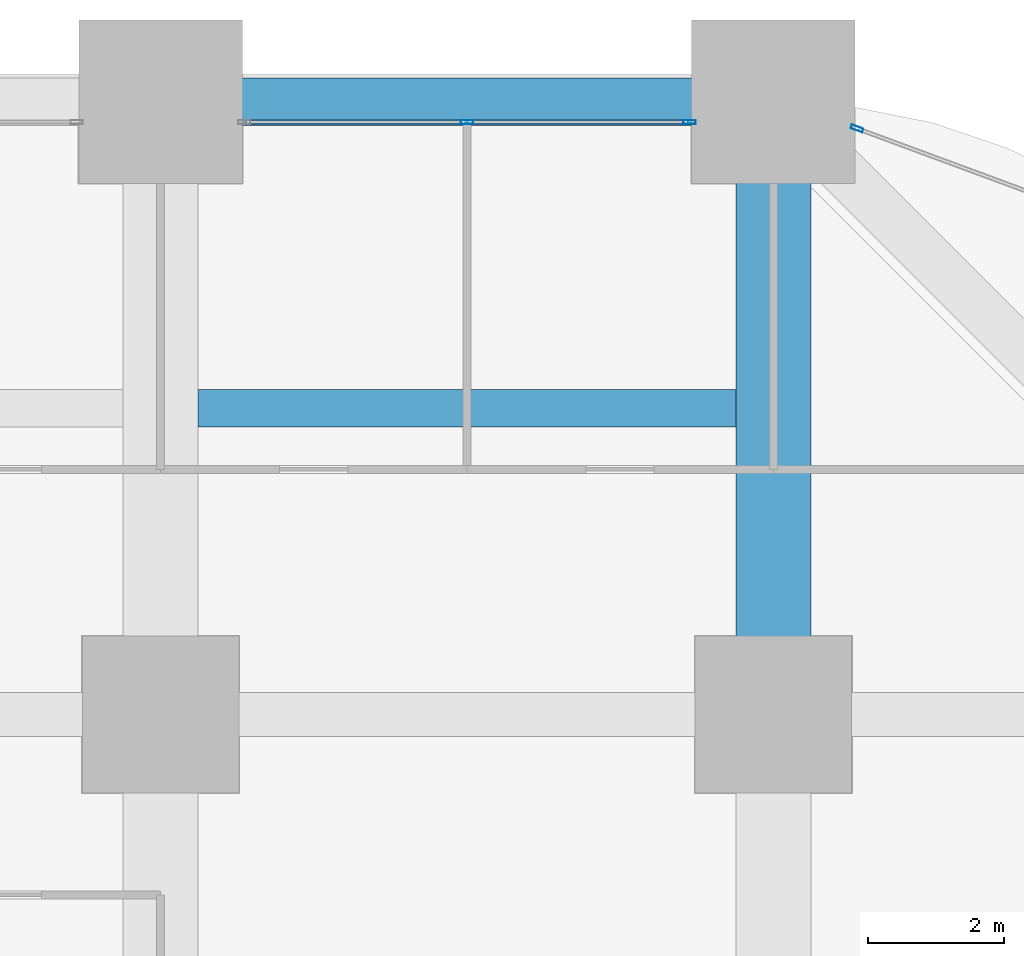
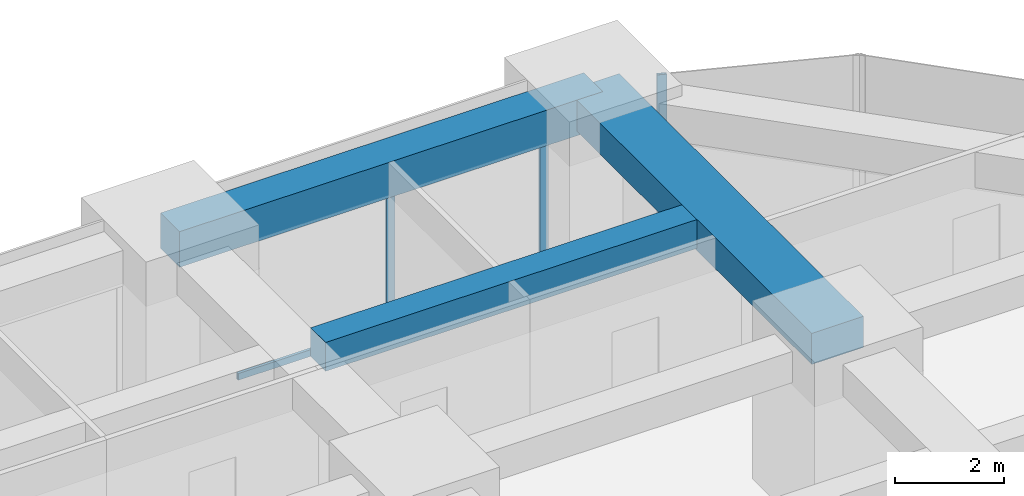
# One storey, part 36 of 45: 4 members, 3 beams, 2 elements without a shape of their own.
"""IFC4 building model written with IfcOpenShell, lengths in metres."""

from ifc_helpers import new_model, si_unit, direction, frame, origin, origin_2d, place, context, subcontext, project, spatial, rectangle, hollow_rectangle, extrude, material, material_profile, profile_set, type_object, element, aggregate, save


model = new_model("IFC4")

# Units and contexts
model_context = context("Model", 3, precision=1e-05, world=origin(), true_north=direction((0.0, 1.0)))
body_context = subcontext(model_context, "Body", "Model", "MODEL_VIEW")
ifc_project = project(units=[si_unit("LENGTHUNIT", "METRE"), si_unit("AREAUNIT", "SQUARE_METRE"), si_unit("VOLUMEUNIT", "CUBIC_METRE"), si_unit("PLANEANGLEUNIT", "RADIAN"), si_unit("MASSUNIT", "GRAM", prefix="KILO")], contexts=[model_context])

# Site, building, storey
site_placement = place(None, origin())
site = spatial("IfcSite", under=ifc_project, at=site_placement, CompositionType="ELEMENT")
building_placement = place(site_placement, origin())
building = spatial("IfcBuilding", under=site, at=building_placement, Name="Zorevar Civic Tower", CompositionType="ELEMENT")
storey_placement = place(building_placement, frame((0.0, 0.0, 47.800048828125)))
storey = spatial("IfcBuildingStorey", under=building, at=storey_placement, Name="L11", CompositionType="ELEMENT", Elevation=47.800048828125)

# Beams
ifc_material_1 = material(Name="Concrete C50/60", Category="concrete")
ifc_material_profile_1 = material_profile(ifc_material_1, rectangle(XDim=1.10009765625, YDim=0.699951171875, at=origin_2d()), Name="RC 1100x700")
ifc_profile_set_1 = profile_set([ifc_material_profile_1], Name="Concrete C50/60")
beam_type_1 = type_object("IfcBeamType", Name="Beam RC 1100x700", PredefinedType="BEAM", material=ifc_profile_set_1)
beam_1_placement = place(storey_placement, frame((54.0, 45.0, 3.39990234375), z_axis=(0.0, 1.0, 0.0), x_axis=(-1.0, 0.0, 0.0)))
element("IfcBeam", 1, at=beam_1_placement, inside=storey, type_object=beam_type_1, Name="Girder L12", PredefinedType="BEAM", context=body_context, shape_type="SweptSolid", body=[
    extrude(rectangle(XDim=1.10009765625, YDim=0.699951171875, at=origin_2d()), origin(), (0.0, 0.0, 1.0), 9.0),
])
ifc_material_2 = material(Name="Concrete C50/60", Category="concrete")
ifc_material_profile_2 = material_profile(ifc_material_2, rectangle(XDim=0.550048828125, YDim=0.64990234375, at=origin_2d()), Name="RC 550x650")
ifc_profile_set_2 = profile_set([ifc_material_profile_2], Name="Concrete C50/60")
beam_type_2 = type_object("IfcBeamType", Name="Beam RC 550x650", PredefinedType="BEAM", material=ifc_profile_set_2)
beam_2_placement = place(storey_placement, frame((45.550048828125, 49.5, 3.425048828125), z_axis=(1.0, 0.0, 0.0), x_axis=(0.0, 1.0, 0.0)))
element("IfcBeam", 2, at=beam_2_placement, inside=storey, type_object=beam_type_2, Name="Secondary beam L12", PredefinedType="BEAM", context=body_context, shape_type="SweptSolid", body=[
    extrude(rectangle(XDim=0.550048828125, YDim=0.64990234375, at=origin_2d()), origin(), (0.0, 0.0, 1.0), 7.89990234375),
])

# Curtain wall, members
ifc_material_3 = material(Name="Dark grey solar-control glass in black aluminium frame", Category="aluminium")
curtain_wall_type = type_object("IfcCurtainWallType", Name="Curtain wall CW2 low zone", PredefinedType="NOTDEFINED", material=ifc_material_3)
curtain_wall_1_placement = place(storey_placement, origin())
curtain_wall_1 = element("IfcCurtainWall", 3, at=curtain_wall_1_placement, inside=storey, type_object=curtain_wall_type, Name="CW2 L11", PredefinedType="NOTDEFINED")
ifc_material_4 = material(Name="Aluminium, black anodised", Category="aluminium")
ifc_material_profile_3 = material_profile(ifc_material_4, hollow_rectangle(XDim=0.06005859375, YDim=0.179931640625, WallThickness=0.00390625, at=origin_2d()), Name="AL 180x60x4")
ifc_profile_set_3 = profile_set([ifc_material_profile_3], Name="Aluminium, black anodised")
member_type_1 = type_object("IfcMemberType", Name="CW2 mullion AL 180x60x4", PredefinedType="MULLION", material=ifc_profile_set_3)
member_1_placement = place(storey_placement, frame((49.5, 53.699951171875, 0.06005859375), z_axis=(0.0, 0.0, 1.0), x_axis=(0.0, 1.0, 0.0)))
member_1 = element("IfcMember", 4, at=member_1_placement, type_object=member_type_1, Name="CW2 mullion 2", PredefinedType="MULLION", context=body_context, shape_type="SweptSolid", body=[
    extrude(hollow_rectangle(XDim=0.06005859375, YDim=0.179931640625, WallThickness=0.00390625, at=origin_2d()), origin(), (0.0, 0.0, 1.0), 2.889892578125),
])
member_2_placement = place(storey_placement, frame((52.77001953125, 53.699951171875, 0.0), z_axis=(0.0, 0.0, 1.0), x_axis=(0.0, 1.0, 0.0)))
member_2 = element("IfcMember", 5, at=member_2_placement, type_object=member_type_1, Name="CW2 mullion 3", PredefinedType="MULLION", context=body_context, shape_type="SweptSolid", body=[
    extrude(hollow_rectangle(XDim=0.06005859375, YDim=0.179931640625, WallThickness=0.00390625, at=origin_2d()), origin(), (0.0, 0.0, 1.0), 2.949951171875),
])

# Curtain wall, member
curtain_wall_2_placement = place(storey_placement, origin())
curtain_wall_2 = element("IfcCurtainWall", 6, at=curtain_wall_2_placement, inside=storey, type_object=curtain_wall_type, Name="CW2 L11", PredefinedType="NOTDEFINED")
member_3_placement = place(storey_placement, frame((55.22802734375, 53.6064453125, 0.0), z_axis=(0.0, 0.0, 1.0), x_axis=(-0.346704012033, -0.937974588163, 0.0)))
member_3 = element("IfcMember", 7, at=member_3_placement, type_object=member_type_1, Name="CW2 mullion 2", PredefinedType="MULLION", context=body_context, shape_type="SweptSolid", body=[
    extrude(hollow_rectangle(XDim=0.06005859375, YDim=0.179931640625, WallThickness=0.00390625, at=origin_2d()), origin(), (0.0, 0.0, 1.0), 3.75),
])
aggregate(curtain_wall_2, [member_3])

# Member
ifc_material_5 = material(Name="Aluminium, black anodised", Category="aluminium")
ifc_material_profile_4 = material_profile(ifc_material_5, hollow_rectangle(XDim=0.06005859375, YDim=0.14990234375, WallThickness=0.00390625, at=origin_2d()), Name="AL 150x60x4")
ifc_profile_set_4 = profile_set([ifc_material_profile_4], Name="Aluminium, black anodised")
member_type_2 = type_object("IfcMemberType", Name="CW2 transom AL 150x60x4", PredefinedType="USERDEFINED", material=ifc_profile_set_4)
member_4_placement = place(storey_placement, frame((46.260009765625, 53.699951171875, 0.030029296875), z_axis=(1.0, 0.0, 0.0), x_axis=(0.0, 1.0, 0.0)))
member_4 = element("IfcMember", 8, at=member_4_placement, type_object=member_type_2, Name="CW2 sill transom", ObjectType="TRANSOM", PredefinedType="USERDEFINED", context=body_context, shape_type="SweptSolid", body=[
    extrude(hollow_rectangle(XDim=0.06005859375, YDim=0.14990234375, WallThickness=0.00390625, at=origin_2d()), origin(), (0.0, 0.0, 1.0), 6.47998046875),
])

aggregate(curtain_wall_1, [member_1, member_2, member_4])

# Beam
ifc_material_6 = material(Name="Concrete C50/60", Category="concrete")
ifc_material_profile_5 = material_profile(ifc_material_6, rectangle(XDim=0.699951171875, YDim=0.800048828125, at=origin_2d()), Name="RC 700x800")
ifc_profile_set_5 = profile_set([ifc_material_profile_5], Name="Concrete C50/60")
beam_type_3 = type_object("IfcBeamType", Name="Edge beam RC 700x800", PredefinedType="SPANDREL", material=ifc_profile_set_5)
beam_3_placement = place(storey_placement, frame((45.0, 54.0, 3.349853515625), z_axis=(1.0, 0.0, 0.0), x_axis=(0.0, 1.0, 0.0)))
element("IfcBeam", 9, at=beam_3_placement, inside=storey, type_object=beam_type_3, Name="Edge beam L12", PredefinedType="SPANDREL", context=body_context, shape_type="SweptSolid", body=[
    extrude(rectangle(XDim=0.699951171875, YDim=0.800048828125, at=origin_2d()), origin(), (0.0, 0.0, 1.0), 9.0),
])

save(model, "model.ifc")
